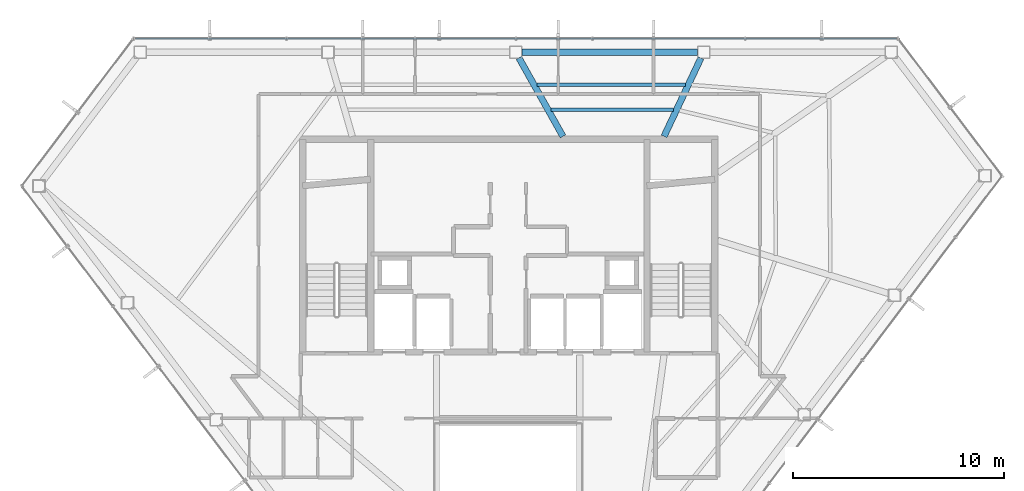
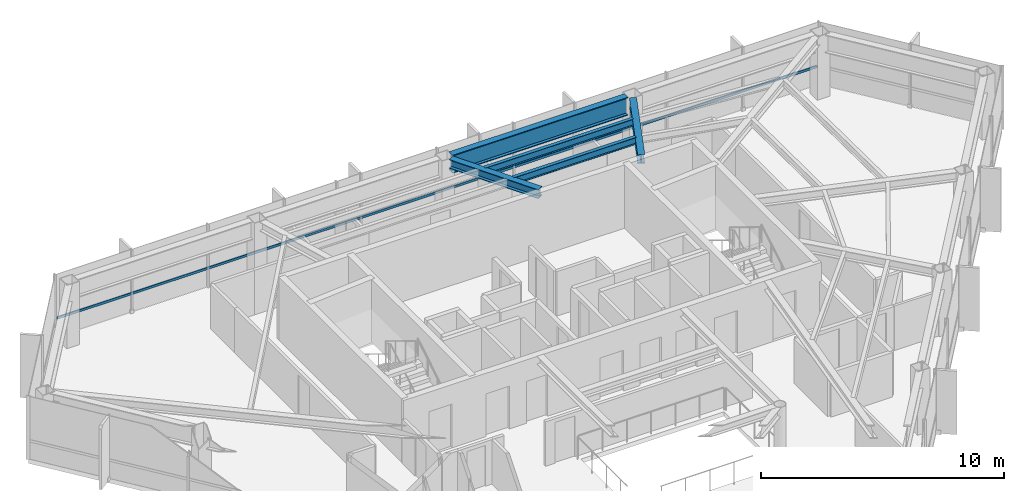
# One storey, part 15 of 27: 5 beams, 1 member, 1 element without a shape of its own.
"""IFC4 building model written with IfcOpenShell, lengths in metres."""

from ifc_helpers import new_model, si_unit, direction, frame, origin, origin_2d, place, context, subcontext, project, spatial, hollow_rectangle, i_section, extrude, material, layer, layer_set, material_profile, profile_set, type_object, element, aggregate, save


model = new_model("IFC4")

# Units and contexts
model_context = context("Model", 3, precision=1e-05, world=origin(), true_north=direction((0.0, 1.0)))
body_context = subcontext(model_context, "Body", "Model", "MODEL_VIEW")
ifc_project = project(units=[si_unit("LENGTHUNIT", "METRE"), si_unit("AREAUNIT", "SQUARE_METRE"), si_unit("VOLUMEUNIT", "CUBIC_METRE"), si_unit("PLANEANGLEUNIT", "RADIAN"), si_unit("MASSUNIT", "GRAM", prefix="KILO")], contexts=[model_context])

# Site, building, storey
site_placement = place(None, origin())
site = spatial("IfcSite", under=ifc_project, at=site_placement, CompositionType="ELEMENT")
building_placement = place(site_placement, origin())
building = spatial("IfcBuilding", under=site, at=building_placement, Name="Zarrinselat Tower", CompositionType="ELEMENT")
storey_placement = place(building_placement, frame((0.0, 0.0, 232.56005859375)))
storey = spatial("IfcBuildingStorey", under=building, at=storey_placement, Name="L58", CompositionType="ELEMENT", Elevation=232.56005859375)

# Beams
ifc_material_1 = material(Name="Steel S355J2", Category="steel")
ifc_material_profile_1 = material_profile(ifc_material_1, i_section(OverallWidth=0.300048828125, OverallDepth=0.449951171875, WebThickness=0.013916015625, FlangeThickness=0.02587890625, at=origin_2d()), Name="HEB 450")
ifc_profile_set_1 = profile_set([ifc_material_profile_1], Name="Steel S355J2")
beam_type_1 = type_object("IfcBeamType", Name="BM-HEB450", PredefinedType="BEAM", material=ifc_profile_set_1)
beam_1_placement = place(storey_placement, frame((45.800048828125, 43.5400390625, 2.954833984375), z_axis=(0.425991754622, 0.904727044469, 0.0), x_axis=(-0.904727044469, 0.425991754622, 0.0)))
element("IfcBeam", 1, at=beam_1_placement, inside=storey, type_object=beam_type_1, Name="L58 Radial Primary Girder RG02", PredefinedType="BEAM", context=body_context, shape_type="SweptSolid", body=[
    extrude(i_section(OverallWidth=0.300048828125, OverallDepth=0.449951171875, WebThickness=0.013916015625, FlangeThickness=0.02587890625, at=origin_2d()), origin(), (0.0, 0.0, 1.0), 4.105712890625),
])
beam_2_placement = place(storey_placement, frame((38.9111328125, 47.264404296875, 2.954833984375), z_axis=(0.489177785109, -0.872184094418, 0.0), x_axis=(0.872184094418, 0.489177785109, 0.0)))
element("IfcBeam", 2, at=beam_2_placement, inside=storey, type_object=beam_type_1, Name="L58 Radial Primary Girder RG03", PredefinedType="BEAM", context=body_context, shape_type="SweptSolid", body=[
    extrude(i_section(OverallWidth=0.300048828125, OverallDepth=0.449951171875, WebThickness=0.013916015625, FlangeThickness=0.02587890625, at=origin_2d()), origin(), (0.0, 0.0, 1.0), 4.270263671875),
])
ifc_material_2 = material(Name="Steel S460M", Category="steel")
ifc_material_profile_2 = material_profile(ifc_material_2, i_section(OverallWidth=0.302001953125, OverallDepth=0.909912109375, WebThickness=0.02099609375, FlangeThickness=0.0400390625, at=origin_2d()), Name="HEM 900")
ifc_profile_set_2 = profile_set([ifc_material_profile_2], Name="Steel S460M")
beam_type_2 = type_object("IfcBeamType", Name="BM-HEM900", PredefinedType="BEAM", material=ifc_profile_set_2)
beam_3_placement = place(storey_placement, frame((39.051513671875, 47.52783203125, 2.724853515625), z_axis=(1.0, 0.0, 0.0), x_axis=(0.0, 1.0, 0.0)))
element("IfcBeam", 3, at=beam_3_placement, inside=storey, type_object=beam_type_2, Name="L58 Perimeter Spandrel Girder SP02", PredefinedType="BEAM", context=body_context, shape_type="SweptSolid", body=[
    extrude(i_section(OverallWidth=0.302001953125, OverallDepth=0.909912109375, WebThickness=0.02099609375, FlangeThickness=0.0400390625, at=origin_2d()), origin(), (0.0, 0.0, 1.0), 8.33837890625),
])
ifc_material_3 = material(Name="Steel S355J2", Category="steel")
ifc_material_profile_3 = material_profile(ifc_material_3, i_section(OverallWidth=0.169921875, OverallDepth=0.360107421875, WebThickness=0.008056640625, FlangeThickness=0.0126953125, at=origin_2d()), Name="IPE 360")
ifc_profile_set_3 = profile_set([ifc_material_profile_3], Name="Steel S355J2")
beam_type_3 = type_object("IfcBeamType", Name="BM-IPE360", PredefinedType="JOIST", material=ifc_profile_set_3)
beam_4_placement = place(storey_placement, frame((39.76123046875, 45.998046875, 3.0), z_axis=(0.999999595031, -0.000899965021, 0.0), x_axis=(0.000899965021, 0.999999595031, 0.0)))
element("IfcBeam", 4, at=beam_4_placement, inside=storey, type_object=beam_type_3, Name="L58 Composite Floor Joist 7-1", PredefinedType="JOIST", context=body_context, shape_type="SweptSolid", body=[
    extrude(i_section(OverallWidth=0.169921875, OverallDepth=0.360107421875, WebThickness=0.008056640625, FlangeThickness=0.0126953125, at=origin_2d()), origin(), (0.0, 0.0, 1.0), 7.05322265625),
])
beam_5_placement = place(storey_placement, frame((40.4296875, 44.80615234375, 3.0), z_axis=(0.99999985156, -0.000544867684, 0.0), x_axis=(0.000544867684, 0.99999985156, 0.0)))
element("IfcBeam", 5, at=beam_5_placement, inside=storey, type_object=beam_type_3, Name="L58 Composite Floor Joist 7-2", PredefinedType="JOIST", context=body_context, shape_type="SweptSolid", body=[
    extrude(i_section(OverallWidth=0.169921875, OverallDepth=0.360107421875, WebThickness=0.008056640625, FlangeThickness=0.0126953125, at=origin_2d()), origin(), (0.0, 0.0, 1.0), 5.824951171875),
])

# Curtain wall, member
ifc_material_4 = material(Name="Extruded Aluminium Alloy EN AW-6063 T6", Category="aluminium")
ifc_layer = layer(ifc_material_4, 0.169921875)
ifc_layer_set = layer_set([ifc_layer], Name="Extruded Aluminium Alloy EN AW-6063 T6")
curtain_wall_type = type_object("IfcCurtainWallType", Name="CWS-RES", PredefinedType="NOTDEFINED", material=ifc_layer_set)
curtain_wall_placement = place(storey_placement, origin())
curtain_wall = element("IfcCurtainWall", 6, at=curtain_wall_placement, inside=storey, type_object=curtain_wall_type, Name="L58 Unitised Curtain Wall CW-L58-E01", PredefinedType="NOTDEFINED")
ifc_material_5 = material(Name="Extruded Aluminium Alloy EN AW-6063 T6", Category="aluminium")
ifc_material_profile_4 = material_profile(ifc_material_5, hollow_rectangle(XDim=0.06005859375, YDim=0.1201171875, WallThickness=0.00390625, at=origin_2d()), Name="RHS 120x60x4")
ifc_profile_set_4 = profile_set([ifc_material_profile_4], Name="Extruded Aluminium Alloy EN AW-6063 T6")
member_type = type_object("IfcMemberType", Name="MEM-CW-TRN2", PredefinedType="USERDEFINED", material=ifc_profile_set_4)
member_placement = place(storey_placement, frame((56.8251953125, 48.177734375, 0.949951171875), z_axis=(-1.0, 0.0, 0.0), x_axis=(0.0, -1.0, 0.0)))
member = element("IfcMember", 7, at=member_placement, type_object=member_type, Name="CW-L58-E01 Transom 1", ObjectType="TRANSOM", PredefinedType="USERDEFINED", context=body_context, shape_type="SweptSolid", body=[
    extrude(hollow_rectangle(XDim=0.06005859375, YDim=0.1201171875, WallThickness=0.00390625, at=origin_2d()), origin(), (0.0, 0.0, 1.0), 36.123779296875),
])
aggregate(curtain_wall, [member])

save(model, "model.ifc")
